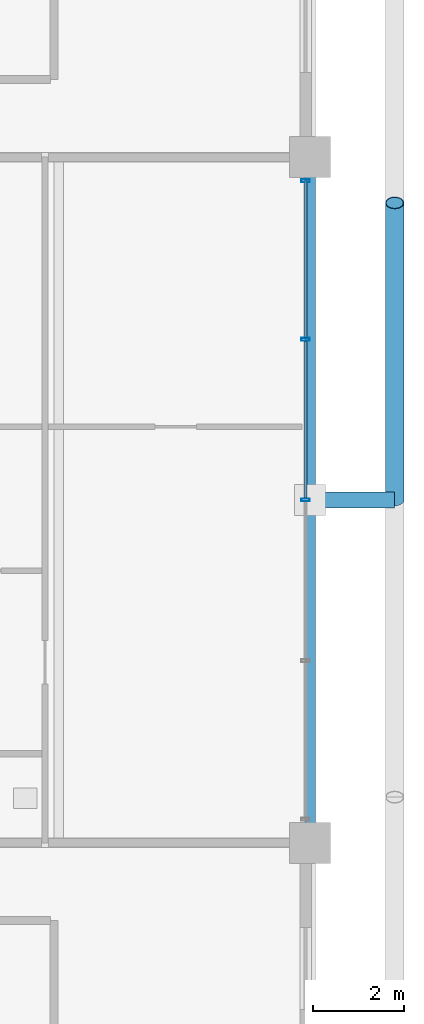
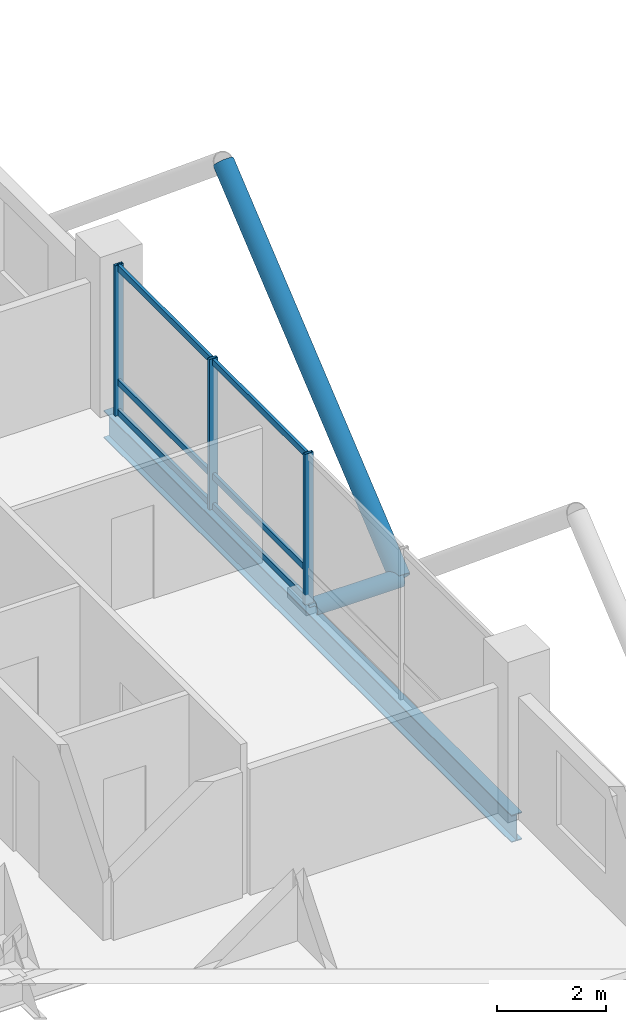
# One storey, part 13 of 25: 11 members, 1 beam, 1 element without a shape of its own.
"""IFC4 building model written with IfcOpenShell, lengths in metres."""

from ifc_helpers import new_model, si_unit, direction, frame, origin, origin_2d, place, context, subcontext, project, spatial, hollow_rectangle, hollow_circle, i_section, extrude, material, layer, layer_set, material_profile, profile_set, type_object, element, aggregate, save


model = new_model("IFC4")

# Units and contexts
model_context = context("Model", 3, precision=1e-05, world=origin(), true_north=direction((0.0, 1.0)))
body_context = subcontext(model_context, "Body", "Model", "MODEL_VIEW")
ifc_project = project(units=[si_unit("LENGTHUNIT", "METRE"), si_unit("AREAUNIT", "SQUARE_METRE"), si_unit("VOLUMEUNIT", "CUBIC_METRE"), si_unit("PLANEANGLEUNIT", "RADIAN"), si_unit("MASSUNIT", "GRAM", prefix="KILO")], contexts=[model_context])

# Site, building, storey
site_placement = place(None, origin())
site = spatial("IfcSite", under=ifc_project, at=site_placement, CompositionType="ELEMENT")
building_placement = place(site_placement, origin())
building = spatial("IfcBuilding", under=site, at=building_placement, Name="Barlavira Tower and Art Museum", CompositionType="ELEMENT")
storey_placement = place(building_placement, frame((0.0, 0.0, 229.5)))
storey = spatial("IfcBuildingStorey", under=building, at=storey_placement, Name="L59", CompositionType="ELEMENT", Elevation=229.5)

# Curtain wall, members
ifc_material_1 = material(Name="Low-iron coastal laminated glass", Category="glass")
ifc_layer = layer(ifc_material_1, 0.2099609375, Name="Low-iron coastal laminated glass")
ifc_layer_set = layer_set([ifc_layer], Name="Low-iron coastal laminated glass")
curtain_wall_type = type_object("IfcCurtainWallType", Name="Pale-Metal Unitised Curtain Wall Zone 4", PredefinedType="NOTDEFINED", material=ifc_layer_set)
curtain_wall_placement = place(storey_placement, origin())
curtain_wall = element("IfcCurtainWall", 1, at=curtain_wall_placement, inside=storey, type_object=curtain_wall_type, Name="L59 Curtain Wall CW4-L59-E-B3", PredefinedType="NOTDEFINED")
ifc_material_2 = material(Name="Pale anodised aluminium", Category="aluminium")
ifc_material_profile_1 = material_profile(ifc_material_2, hollow_rectangle(XDim=0.06494140625, YDim=0.179931640625, WallThickness=0.00390625, at=origin_2d()), Name="ALU-MULL 65x180x4")
ifc_profile_set_1 = profile_set([ifc_material_profile_1], Name="Pale anodised aluminium")
member_type_1 = type_object("IfcMemberType", Name="Curtain Wall Pale-Metal Mullion 65x180", PredefinedType="MULLION", material=ifc_profile_set_1)
member_1_placement = place(storey_placement, frame((16.89990234375, 0.0, 0.0), z_axis=(0.0, 0.0, 1.0), x_axis=(0.0, 1.0, 0.0)))
member_1 = element("IfcMember", 2, at=member_1_placement, type_object=member_type_1, Name="CW4-L59-E-B3 Mullion 2", PredefinedType="MULLION", context=body_context, shape_type="SweptSolid", body=[
    extrude(hollow_rectangle(XDim=0.06494140625, YDim=0.179931640625, WallThickness=0.00390625, at=origin_2d()), origin(), (0.0, 0.0, 1.0), 3.3798828125),
])
member_2_placement = place(storey_placement, frame((16.89990234375, 3.514892578125, 0.0), z_axis=(0.0, 0.0, 1.0), x_axis=(0.0, 1.0, 0.0)))
member_2 = element("IfcMember", 3, at=member_2_placement, type_object=member_type_1, Name="CW4-L59-E-B3 Mullion 3", PredefinedType="MULLION", context=body_context, shape_type="SweptSolid", body=[
    extrude(hollow_rectangle(XDim=0.06494140625, YDim=0.179931640625, WallThickness=0.00390625, at=origin_2d()), origin(), (0.0, 0.0, 1.0), 3.3798828125),
])
member_3_placement = place(storey_placement, frame((16.89990234375, 6.985107421875, 0.0), z_axis=(0.0, 0.0, 1.0), x_axis=(0.0, 1.0, 0.0)))
member_3 = element("IfcMember", 4, at=member_3_placement, type_object=member_type_1, Name="CW4-L59-E-B3 Mullion 4", PredefinedType="MULLION", context=body_context, shape_type="SweptSolid", body=[
    extrude(hollow_rectangle(XDim=0.06494140625, YDim=0.179931640625, WallThickness=0.00390625, at=origin_2d()), origin(), (0.0, 0.0, 1.0), 3.3798828125),
])
ifc_material_profile_2 = material_profile(ifc_material_2, hollow_rectangle(XDim=0.06494140625, YDim=0.139892578125, WallThickness=0.00390625, at=origin_2d()), Name="ALU-TRAN 65x140x4")
ifc_profile_set_2 = profile_set([ifc_material_profile_2], Name="Pale anodised aluminium")
member_type_2 = type_object("IfcMemberType", Name="Curtain Wall Pale-Metal Transom 65x140", PredefinedType="USERDEFINED", material=ifc_profile_set_2)
member_4_placement = place(storey_placement, frame((16.89990234375, 0.044921875, 0.070068359375), z_axis=(0.0, 1.0, 0.0), x_axis=(-1.0, 0.0, 0.0)))
member_4 = element("IfcMember", 5, at=member_4_placement, type_object=member_type_2, Name="CW4-L59-E-B3 Transom 2.1", ObjectType="TRANSOM", PredefinedType="USERDEFINED", context=body_context, shape_type="SweptSolid", body=[
    extrude(hollow_rectangle(XDim=0.06494140625, YDim=0.139892578125, WallThickness=0.00390625, at=origin_2d()), origin(), (0.0, 0.0, 1.0), 3.425048828125),
])
member_5_placement = place(storey_placement, frame((16.89990234375, 0.044921875, 0.743896484375), z_axis=(0.0, 1.0, 0.0), x_axis=(-1.0, 0.0, 0.0)))
member_5 = element("IfcMember", 6, at=member_5_placement, type_object=member_type_2, Name="CW4-L59-E-B3 Transom 2.2", ObjectType="TRANSOM", PredefinedType="USERDEFINED", context=body_context, shape_type="SweptSolid", body=[
    extrude(hollow_rectangle(XDim=0.06494140625, YDim=0.139892578125, WallThickness=0.00390625, at=origin_2d()), origin(), (0.0, 0.0, 1.0), 3.425048828125),
])
member_6_placement = place(storey_placement, frame((16.89990234375, 0.044921875, 3.31005859375), z_axis=(0.0, 1.0, 0.0), x_axis=(-1.0, 0.0, 0.0)))
member_6 = element("IfcMember", 7, at=member_6_placement, type_object=member_type_2, Name="CW4-L59-E-B3 Transom 2.3", ObjectType="TRANSOM", PredefinedType="USERDEFINED", context=body_context, shape_type="SweptSolid", body=[
    extrude(hollow_rectangle(XDim=0.06494140625, YDim=0.139892578125, WallThickness=0.00390625, at=origin_2d()), origin(), (0.0, 0.0, 1.0), 3.425048828125),
])
member_7_placement = place(storey_placement, frame((16.89990234375, 3.56005859375, 0.070068359375), z_axis=(0.0, 1.0, 0.0), x_axis=(-1.0, 0.0, 0.0)))
member_7 = element("IfcMember", 8, at=member_7_placement, type_object=member_type_2, Name="CW4-L59-E-B3 Transom 3.1", ObjectType="TRANSOM", PredefinedType="USERDEFINED", context=body_context, shape_type="SweptSolid", body=[
    extrude(hollow_rectangle(XDim=0.06494140625, YDim=0.139892578125, WallThickness=0.00390625, at=origin_2d()), origin(), (0.0, 0.0, 1.0), 3.425048828125),
])
member_8_placement = place(storey_placement, frame((16.89990234375, 3.56005859375, 0.743896484375), z_axis=(0.0, 1.0, 0.0), x_axis=(-1.0, 0.0, 0.0)))
member_8 = element("IfcMember", 9, at=member_8_placement, type_object=member_type_2, Name="CW4-L59-E-B3 Transom 3.2", ObjectType="TRANSOM", PredefinedType="USERDEFINED", context=body_context, shape_type="SweptSolid", body=[
    extrude(hollow_rectangle(XDim=0.06494140625, YDim=0.139892578125, WallThickness=0.00390625, at=origin_2d()), origin(), (0.0, 0.0, 1.0), 3.425048828125),
])
member_9_placement = place(storey_placement, frame((16.89990234375, 3.56005859375, 3.31005859375), z_axis=(0.0, 1.0, 0.0), x_axis=(-1.0, 0.0, 0.0)))
member_9 = element("IfcMember", 10, at=member_9_placement, type_object=member_type_2, Name="CW4-L59-E-B3 Transom 3.3", ObjectType="TRANSOM", PredefinedType="USERDEFINED", context=body_context, shape_type="SweptSolid", body=[
    extrude(hollow_rectangle(XDim=0.06494140625, YDim=0.139892578125, WallThickness=0.00390625, at=origin_2d()), origin(), (0.0, 0.0, 1.0), 3.425048828125),
])
aggregate(curtain_wall, [member_1, member_2, member_3, member_4, member_5, member_6, member_7, member_8, member_9])

# Members
ifc_material_3 = material(Name="Steel S355", Category="steel")
ifc_material_profile_3 = material_profile(ifc_material_3, hollow_circle(Radius=0.203125, WallThickness=0.01611328125, at=origin_2d()), Name="CHS 406.4x16.0")
ifc_profile_set_3 = profile_set([ifc_material_profile_3], Name="Steel S355")
member_type_3 = type_object("IfcMemberType", Name="Pale-Metal Exoskeleton Diagrid Tube CHS 406x16 Steel S355", PredefinedType="BRACE", material=ifc_profile_set_3)
member_10_placement = place(storey_placement, frame((18.85009765625, 0.0, -0.1201171875), z_axis=(0.0, 0.76918185268, 0.639029950399), x_axis=(-1.0, 0.0, 0.0)))
element("IfcMember", 11, at=member_10_placement, inside=storey, type_object=member_type_3, Name="L59 Exoskeleton Diagrid Tube E", PredefinedType="BRACE", context=body_context, shape_type="SweptSolid", body=[
    extrude(hollow_circle(Radius=0.203125, WallThickness=0.01611328125, at=origin_2d()), origin(), (0.0, 0.0, 1.0), 8.450439453125),
])
ifc_material_profile_4 = material_profile(ifc_material_3, hollow_circle(Radius=0.177734375, WallThickness=0.01611328125, at=origin_2d()), Name="CHS 355.6x16.0")
ifc_profile_set_4 = profile_set([ifc_material_profile_4], Name="Steel S355")
member_type_4 = type_object("IfcMemberType", Name="Pale-Metal Exoskeleton Tie Strut CHS 356x16 Steel S355", PredefinedType="STRUT", material=ifc_profile_set_4)
member_11_placement = place(storey_placement, frame((18.85009765625, 0.0, -0.1201171875), z_axis=(-1.0, 0.0, 0.0), x_axis=(0.0, -1.0, 0.0)))
element("IfcMember", 12, at=member_11_placement, inside=storey, type_object=member_type_4, Name="L59 Exoskeleton Tie Strut E2", PredefinedType="STRUT", context=body_context, shape_type="SweptSolid", body=[
    extrude(hollow_circle(Radius=0.177734375, WallThickness=0.01611328125, at=origin_2d()), origin(), (0.0, 0.0, 1.0), 1.85009765625),
])

# Beam
ifc_material_profile_5 = material_profile(ifc_material_3, i_section(OverallWidth=0.22998046875, OverallDepth=0.616943359375, WebThickness=0.01318359375, FlangeThickness=0.022216796875, at=origin_2d()), Name="W610x140.0")
ifc_profile_set_5 = profile_set([ifc_material_profile_5], Name="Steel S355")
beam_type = type_object("IfcBeamType", Name="Upper Shaft Spandrel Edge Beam W610x140 Steel S355", PredefinedType="SPANDREL", material=ifc_profile_set_5)
beam_placement = place(storey_placement, frame((17.0, -7.5, -0.528564453125), z_axis=(0.0, 1.0, 0.0), x_axis=(-1.0, 0.0, 0.0)))
element("IfcBeam", 13, at=beam_placement, inside=storey, type_object=beam_type, Name="L59 Spandrel 6", PredefinedType="SPANDREL", context=body_context, shape_type="SweptSolid", body=[
    extrude(i_section(OverallWidth=0.22998046875, OverallDepth=0.616943359375, WebThickness=0.01318359375, FlangeThickness=0.022216796875, at=origin_2d()), origin(), (0.0, 0.0, 1.0), 15.0),
])

save(model, "model.ifc")
